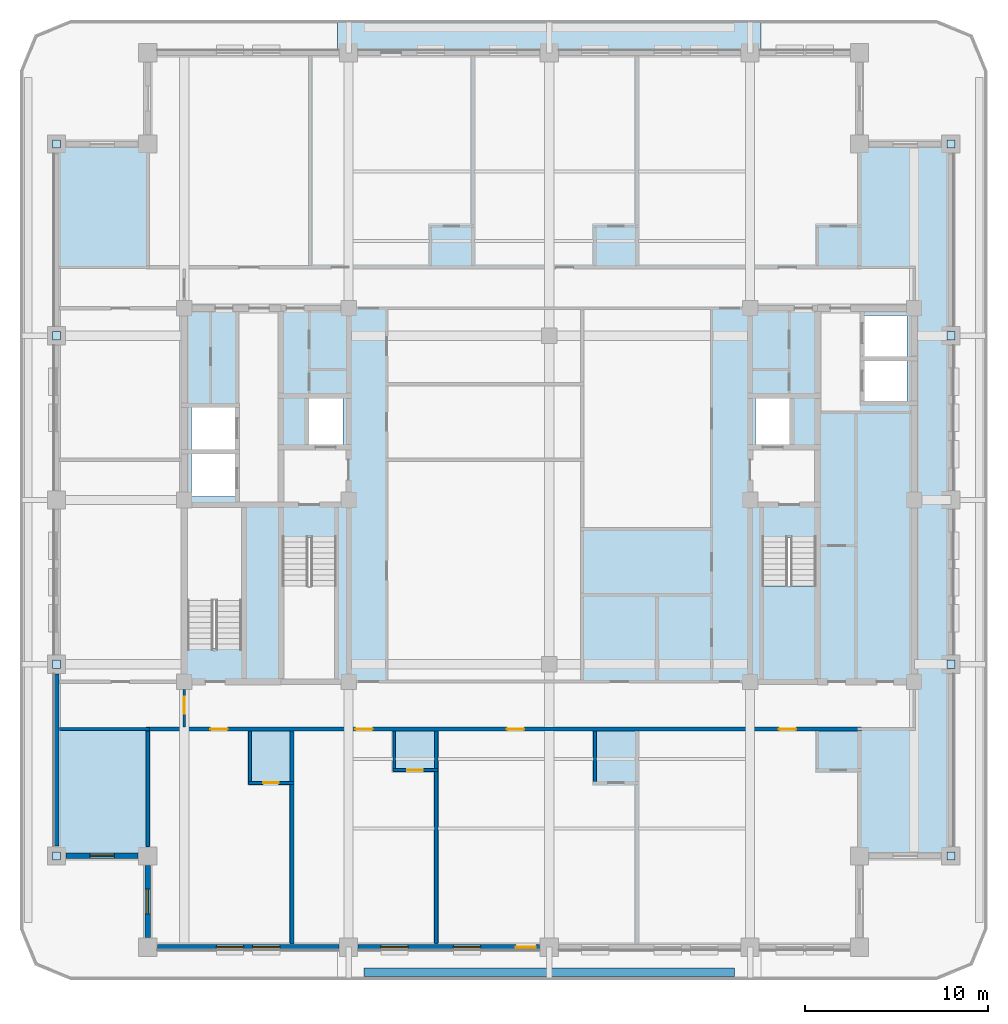
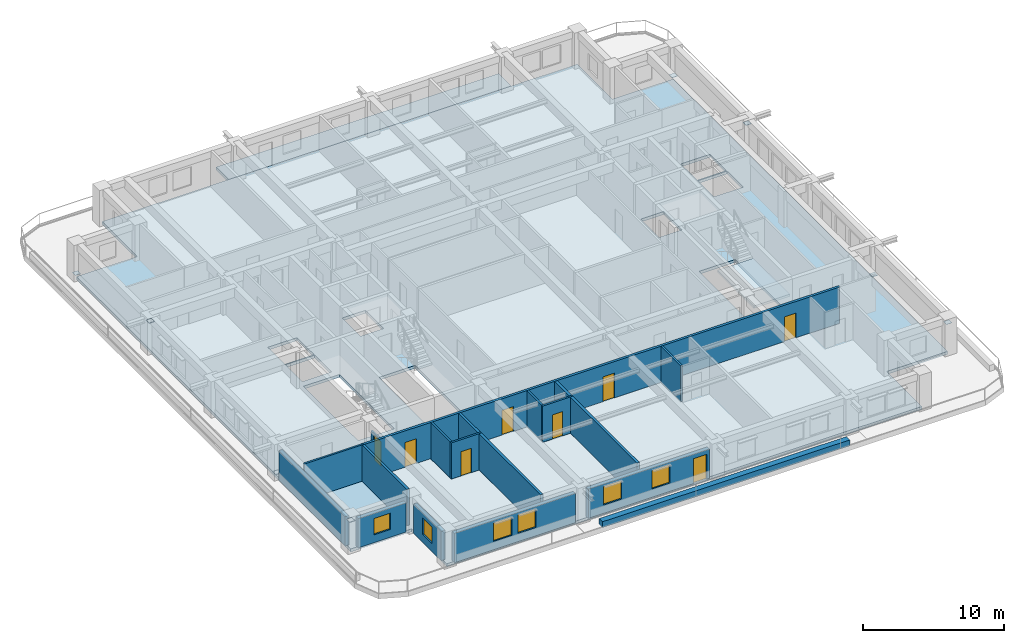
# One storey, part 2 of 14: 19 walls, 8 doors, 8 plates, 6 windows, 3 slabs, 14 openings, 1 element without a shape of its own.
"""IFC4 building model written with IfcOpenShell, lengths in metres."""

from ifc_helpers import new_model, si_unit, direction, frame, frame_2d, origin, origin_2d, place, context, subcontext, project, spatial, polyline, rectangle, outline, extrude, material, layer, layer_set, type_object, element, fill, aggregate, save


model = new_model("IFC4")

# Units and contexts
model_context = context("Model", 3, precision=1e-05, world=origin(), true_north=direction((0.0, 1.0)))
body_context = subcontext(model_context, "Body", "Model", "MODEL_VIEW")
ifc_project = project(units=[si_unit("LENGTHUNIT", "METRE"), si_unit("AREAUNIT", "SQUARE_METRE"), si_unit("VOLUMEUNIT", "CUBIC_METRE"), si_unit("PLANEANGLEUNIT", "RADIAN"), si_unit("MASSUNIT", "GRAM", prefix="KILO")], contexts=[model_context])

# Site, building, storey
site_placement = place(None, origin())
site = spatial("IfcSite", under=ifc_project, at=site_placement, CompositionType="ELEMENT")
building_placement = place(site_placement, origin())
building = spatial("IfcBuilding", under=site, at=building_placement, Name="Zulmaris Gate Convention Tower", CompositionType="ELEMENT")
storey_placement = place(building_placement, frame((0.0, 0.0, 205.06005859375)))
storey = spatial("IfcBuildingStorey", under=building, at=storey_placement, Name="L53", CompositionType="ELEMENT", Elevation=205.06005859375)

# Plates
ifc_material_1 = material(Name="Steel S460", Category="steel")
ifc_layer_1 = layer(ifc_material_1, 0.02490234375, Name="Steel S460")
ifc_layer_set_1 = layer_set([ifc_layer_1], Name="Steel S460")
plate_type = type_object("IfcPlateType", Name="NP-CAP-440", PredefinedType="USERDEFINED", material=ifc_layer_set_1)
for number, where, z_axis, x_axis, name in (
    (1, (-27.0, -9.0, 0.28759765625), (0.0, 0.0, 1.0), (1.0, 0.0, 0.0), "L53 Steel Node Plate PBR-L53-SW-W-CAP"),
    (2, (-27.0, -19.5, 2.517578125), (0.0, 0.0, 1.0), (1.0, 0.0, 0.0), "L53 Steel Node Plate PBR-L53-SW-W-CAPB"),
    (3, (-27.0, 19.5, 0.28759765625), (0.0, 0.0, 1.0), (1.0, 0.0, 0.0), "L53 Steel Node Plate PBR-L53-NW-W-CAP"),
    (4, (-27.0, 9.0, 2.517578125), (0.0, 0.0, 1.0), (1.0, 0.0, 0.0), "L53 Steel Node Plate PBR-L53-NW-W-CAPB"),
    (5, (22.0, -9.0, 0.28759765625), (0.0, 0.0, 1.0), (1.0, 0.0, 0.0), "L53 Steel Node Plate PBR-L53-SE-E-CAP"),
    (6, (22.0, -19.5, 2.517578125), (0.0, 0.0, 1.0), (1.0, 0.0, 0.0), "L53 Steel Node Plate PBR-L53-SE-E-CAPB"),
    (7, (22.0, 19.5, 0.28759765625), (0.0, 0.0, 1.0), (1.0, 0.0, 0.0), "L53 Steel Node Plate PBR-L53-NE-E-CAP"),
    (8, (22.0, 9.0, 2.517578125), (0.0, 0.0, 1.0), (1.0, 0.0, 0.0), "L53 Steel Node Plate PBR-L53-NE-E-CAPB"),
):
    element("IfcPlate", number, at=place(storey_placement, frame(where, z_axis=z_axis, x_axis=x_axis)), inside=storey, type_object=plate_type, Name=name, ObjectType="FLANGE PLATE", PredefinedType="USERDEFINED", context=body_context, shape_type="SweptSolid", body=[
        extrude(rectangle(XDim=0.43994140625, YDim=0.43994140625, at=origin_2d()), origin(), (0.0, 0.0, 1.0), 0.02490234375),
    ])

# Slabs
ifc_material_2 = material(Name="Precast concrete C50/60", Category="concrete")
ifc_layer_2 = layer(ifc_material_2, 0.239990234375, Name="Precast concrete C50/60")
ifc_layer_set_2 = layer_set([ifc_layer_2], Name="Precast concrete C50/60")
slab_type_1 = type_object("IfcSlabType", Name="SL-BAL-240", PredefinedType="FLOOR", material=ifc_layer_set_2)
slab_1_placement = place(storey_placement, frame((0.0, 0.0, -0.25)))
element("IfcSlab", 9, at=slab_1_placement, inside=storey, type_object=slab_type_1, Name="L53 North Tree-Balcony Planter Slab", PredefinedType="FLOOR", context=body_context, shape_type="SweptSolid", body=[
    extrude(outline(polyline([(11.597900390625, 26.300048828125), (11.597900390625, 24.5), (-11.597900390625, 24.5), (-11.597900390625, 26.300048828125), (11.597900390625, 26.300048828125)])), origin(), (0.0, 0.0, 1.0), 0.239990234375),
])
ifc_material_3 = material(Name="Concrete C50/60", Category="concrete")
ifc_layer_3 = layer(ifc_material_3, 0.25, Name="Concrete C50/60")
ifc_layer_set_3 = layer_set([ifc_layer_3], Name="Concrete C50/60")
slab_type_2 = type_object("IfcSlabType", Name="SL-FLR-250", PredefinedType="FLOOR", material=ifc_layer_set_3)
slab_2_placement = place(storey_placement, frame((0.0, 0.0, -0.25)))
element("IfcSlab", 10, at=slab_2_placement, inside=storey, type_object=slab_type_2, Name="L53 Shifted Notched-Square Structural Floor Slab", PredefinedType="FLOOR", context=body_context, shape_type="SweptSolid", body=[
    extrude(outline(polyline([(-22.0, -24.5), (17.0, -24.5), (17.0, -19.5), (22.0, -19.5), (22.0, 19.5), (17.0, 19.5), (17.0, 24.5), (-22.0, 24.5), (-22.0, 19.5), (-27.0, 19.5), (-27.0, -19.5), (-22.0, -19.5), (-22.0, -24.5)]), holes=[polyline([(-14.6201171875, -2.080078125), (-14.6201171875, -9.85009765625), (-11.659912109375, -9.85009765625), (-11.659912109375, -2.080078125), (-14.6201171875, -2.080078125)]), polyline([(11.659912109375, -2.080078125), (11.659912109375, -9.85009765625), (14.6201171875, -9.85009765625), (14.6201171875, -2.080078125), (11.659912109375, -2.080078125)]), polyline([(-16.860107421875, -8.1201171875), (-16.860107421875, -0.35009765625), (-19.820068359375, -0.35009765625), (-19.820068359375, -8.1201171875), (-16.860107421875, -8.1201171875)]), polyline([(-13.199951171875, 3.0), (-11.300048828125, 3.0), (-11.300048828125, 5.60009765625), (-13.199951171875, 5.60009765625), (-13.199951171875, 3.0)]), polyline([(11.300048828125, 3.0), (13.199951171875, 3.0), (13.199951171875, 5.60009765625), (11.300048828125, 5.60009765625), (11.300048828125, 3.0)]), polyline([(17.199951171875, 5.39990234375), (19.60009765625, 5.39990234375), (19.60009765625, 7.699951171875), (17.199951171875, 7.699951171875), (17.199951171875, 5.39990234375)]), polyline([(17.199951171875, 7.800048828125), (19.60009765625, 7.800048828125), (19.60009765625, 10.10009765625), (17.199951171875, 10.10009765625), (17.199951171875, 7.800048828125)]), polyline([(-19.60009765625, 0.199951171875), (-17.199951171875, 0.199951171875), (-17.199951171875, 2.60009765625), (-19.60009765625, 2.60009765625), (-19.60009765625, 0.199951171875)]), polyline([(-19.60009765625, 2.699951171875), (-17.199951171875, 2.699951171875), (-17.199951171875, 5.10009765625), (-19.60009765625, 5.10009765625), (-19.60009765625, 2.699951171875)])]), origin(), (0.0, 0.0, 1.0), 0.25),
])

# Stair, slab
ifc_material_4 = material(Name="Concrete C45/55", Category="concrete")
stair_type = type_object("IfcStairType", Name="ST-CORE-DOGLEG", PredefinedType="HALF_TURN_STAIR", material=ifc_material_4)
stair_placement = place(storey_placement, origin())
stair = element("IfcStair", 11, at=stair_placement, inside=storey, type_object=stair_type, Name="L53 Core Exit Stair ST-2", PredefinedType="HALF_TURN_STAIR")
ifc_layer_4 = layer(ifc_material_4, 0.199951171875, Name="Concrete C45/55")
ifc_layer_set_4 = layer_set([ifc_layer_4], Name="Concrete C45/55")
slab_type_3 = type_object("IfcSlabType", Name="SL-LND-200", PredefinedType="LANDING", material=ifc_layer_set_4)
slab_3_placement = place(storey_placement, frame((0.0, 0.0, 1.5)))
slab_3 = element("IfcSlab", 12, at=slab_3_placement, type_object=slab_type_3, Name="ST-2 landing 1", PredefinedType="LANDING", context=body_context, shape_type="SweptSolid", body=[
    extrude(outline(polyline([(11.659912109375, -4.699951171875), (11.659912109375, -9.85009765625), (14.6201171875, -9.85009765625), (14.6201171875, -4.699951171875), (11.659912109375, -4.699951171875)])), origin(), (0.0, 0.0, 1.0), 0.199951171875),
])
aggregate(stair, [slab_3])

# Wall, opening, door
ifc_material_5 = material(Name="Gypsum Metal Stud Partition")
ifc_layer_5 = layer(ifc_material_5, 0.14990234375, Name="Gypsum Metal Stud Partition")
ifc_layer_set_5 = layer_set([ifc_layer_5], Name="Gypsum Metal Stud Partition")
wall_type_1 = type_object("IfcWallType", Name="PART-150", PredefinedType="PARTITIONING", material=ifc_layer_set_5)
wall_1_placement = place(storey_placement, frame((-16.47509765625, -15.5, 0.0), z_axis=(0.0, 0.0, 1.0), x_axis=(1.0, 0.0, 0.0)))
wall_1 = element("IfcWall", 13, at=wall_1_placement, inside=storey, type_object=wall_type_1, Name="WL-L53-019", PredefinedType="PARTITIONING", context=body_context, shape_type="SweptSolid", body=[
    extrude(rectangle(XDim=2.47509765625, YDim=0.14990234375, at=frame_2d((1.237548828125, 0.0))), origin(), (0.0, 0.0, 1.0), 3.14990234375),
])
opening_1_placement = place(wall_1_placement, frame((0.800048828125, 0.0, 0.0)))
opening_1 = element("IfcOpeningElement", 14, at=opening_1_placement, cuts=wall_1, Name="Opening D-17", PredefinedType="OPENING", context=body_context, shape_type="SweptSolid", body=[
    extrude(rectangle(XDim=0.85009765625, YDim=2.10009765625, at=frame_2d((0.425048828125, 1.050048828125))), frame((0.0, 0.0849609375, 0.0), z_axis=(0.0, -1.0, 0.0), x_axis=(1.0, 0.0, 0.0)), (0.0, 0.0, 1.0), 0.169921875),
])
ifc_material_6 = material(Name="Moisture-Resistant Hardwood Timber", Category="wood")
door_type_1 = type_object("IfcDoorType", Name="DR-850", OperationType="NOTDEFINED", PredefinedType="DOOR", material=ifc_material_6)
door_1_placement = place(opening_1_placement, origin())
door_1 = element("IfcDoor", 15, at=door_1_placement, inside=storey, type_object=door_type_1, Name="L53 En-Suite Door 37", OperationType="SINGLE_SWING_RIGHT", OverallHeight=2.10009765625, OverallWidth=0.85009765625, PredefinedType="DOOR", context=body_context, shape_type="SweptSolid", body=[
    extrude(rectangle(XDim=0.85009765625, YDim=2.10009765625, at=frame_2d((0.425048828125, 1.050048828125))), frame((0.0, 0.02490234375, 0.0), z_axis=(0.0, -1.0, 0.0), x_axis=(1.0, 0.0, 0.0)), (0.0, 0.0, 1.0), 0.050048828125),
])
fill(opening_1, door_1)

wall_2_placement = place(storey_placement, frame((-8.574951171875, -14.800048828125, 0.0), z_axis=(0.0, 0.0, 1.0), x_axis=(1.0, 0.0, 0.0)))
wall_2 = element("IfcWall", 16, at=wall_2_placement, inside=storey, type_object=wall_type_1, Name="WL-L53-021", PredefinedType="PARTITIONING", context=body_context, shape_type="SweptSolid", body=[
    extrude(rectangle(XDim=2.474853515625, YDim=0.14990234375, at=frame_2d((1.2373046875, 0.0))), origin(), (0.0, 0.0, 1.0), 3.14990234375),
])
opening_2_placement = place(wall_2_placement, frame((0.800048828125, 0.0, 0.0)))
opening_2 = element("IfcOpeningElement", 17, at=opening_2_placement, cuts=wall_2, Name="Opening D-17", PredefinedType="OPENING", context=body_context, shape_type="SweptSolid", body=[
    extrude(rectangle(XDim=0.85009765625, YDim=2.10009765625, at=frame_2d((0.425048828125, 1.050048828125))), frame((0.0, 0.0849609375, 0.0), z_axis=(0.0, -1.0, 0.0), x_axis=(1.0, 0.0, 0.0)), (0.0, 0.0, 1.0), 0.169921875),
])
door_2_placement = place(opening_2_placement, origin())
door_2 = element("IfcDoor", 18, at=door_2_placement, inside=storey, type_object=door_type_1, Name="L53 En-Suite Door 39", OperationType="SINGLE_SWING_RIGHT", OverallHeight=2.10009765625, OverallWidth=0.85009765625, PredefinedType="DOOR", context=body_context, shape_type="SweptSolid", body=[
    extrude(rectangle(XDim=0.85009765625, YDim=2.10009765625, at=frame_2d((0.425048828125, 1.050048828125))), frame((0.0, 0.02490234375, 0.0), z_axis=(0.0, -1.0, 0.0), x_axis=(1.0, 0.0, 0.0)), (0.0, 0.0, 1.0), 0.050048828125),
])
fill(opening_2, door_2)

# Wall
wall_3_placement = place(storey_placement, frame((-26.8349609375, -12.550048828125, 0.0), z_axis=(0.0, 0.0, 1.0), x_axis=(1.0, 0.0, 0.0)))
element("IfcWall", 19, at=wall_3_placement, inside=storey, type_object=wall_type_1, Name="WL-L53-023", PredefinedType="PARTITIONING", context=body_context, shape_type="SweptSolid", body=[
    extrude(rectangle(XDim=4.93505859375, YDim=0.14990234375, at=frame_2d((2.467529296875, 0.0))), origin(), (0.0, 0.0, 1.0), 3.14990234375),
])

# Wall, opening, door
wall_4_placement = place(storey_placement, frame((-20.0, -12.447021484375, 0.0), z_axis=(0.0, 0.0, 1.0), x_axis=(0.0, 1.0, 0.0)))
wall_4 = element("IfcWall", 20, at=wall_4_placement, inside=storey, type_object=wall_type_1, Name="WL-L53-079", PredefinedType="PARTITIONING", context=body_context, shape_type="SweptSolid", body=[
    extrude(rectangle(XDim=2.06591796875, YDim=0.14990234375, at=frame_2d((1.032958984375, 0.0))), origin(), (0.0, 0.0, 1.0), 2.342041015625),
])
opening_3_placement = place(wall_4_placement, frame((0.721923828125, 0.0, 0.0)))
opening_3 = element("IfcOpeningElement", 21, at=opening_3_placement, cuts=wall_4, Name="Opening D-11", PredefinedType="OPENING", context=body_context, shape_type="SweptSolid", body=[
    extrude(rectangle(XDim=0.949951171875, YDim=2.14990234375, at=frame_2d((0.47509765625, 1.074951171875))), frame((0.0, 0.0849609375, 0.0), z_axis=(0.0, -1.0, 0.0), x_axis=(1.0, 0.0, 0.0)), (0.0, 0.0, 1.0), 0.169921875),
])
ifc_material_7 = material(Name="Fire-Rated Timber", Category="wood")
door_type_2 = type_object("IfcDoorType", Name="DR-950-FD", OperationType="NOTDEFINED", PredefinedType="DOOR", material=ifc_material_7)
door_3_placement = place(opening_3_placement, origin())
door_3 = element("IfcDoor", 22, at=door_3_placement, inside=storey, type_object=door_type_2, Name="L53 SW Hotel Spur Door 52", OperationType="SINGLE_SWING_LEFT", OverallHeight=2.14990234375, OverallWidth=0.949951171875, PredefinedType="DOOR", context=body_context, shape_type="SweptSolid", body=[
    extrude(rectangle(XDim=0.949951171875, YDim=2.14990234375, at=frame_2d((0.47509765625, 1.074951171875))), frame((0.0, 0.02490234375, 0.0), z_axis=(0.0, -1.0, 0.0), x_axis=(1.0, 0.0, 0.0)), (0.0, 0.0, 1.0), 0.050048828125),
])
fill(opening_3, door_3)

# Walls
wall_5_placement = place(storey_placement, frame((-16.39990234375, -15.422119140625, 0.0), z_axis=(0.0, 0.0, 1.0), x_axis=(0.0, 1.0, 0.0)))
element("IfcWall", 23, at=wall_5_placement, inside=storey, type_object=wall_type_1, Name="WL-L53-083", PredefinedType="PARTITIONING", context=body_context, shape_type="SweptSolid", body=[
    extrude(rectangle(XDim=2.76904296875, YDim=0.14990234375, at=frame_2d((1.384521484375, 0.0))), origin(), (0.0, 0.0, 1.0), 3.14990234375),
])
wall_6_placement = place(storey_placement, frame((-8.5, -14.721923828125, 0.0), z_axis=(0.0, 0.0, 1.0), x_axis=(0.0, 1.0, 0.0)))
element("IfcWall", 24, at=wall_6_placement, inside=storey, type_object=wall_type_1, Name="WL-L53-092", PredefinedType="PARTITIONING", context=body_context, shape_type="SweptSolid", body=[
    extrude(rectangle(XDim=2.06884765625, YDim=0.14990234375, at=frame_2d((1.034423828125, 0.0))), origin(), (0.0, 0.0, 1.0), 3.14990234375),
])
wall_7_placement = place(storey_placement, frame((2.5, -15.422119140625, 0.0), z_axis=(0.0, 0.0, 1.0), x_axis=(0.0, 1.0, 0.0)))
element("IfcWall", 25, at=wall_7_placement, inside=storey, type_object=wall_type_1, Name="WL-L53-103", PredefinedType="PARTITIONING", context=body_context, shape_type="SweptSolid", body=[
    extrude(rectangle(XDim=2.76904296875, YDim=0.14990234375, at=frame_2d((1.384521484375, 0.0))), origin(), (0.0, 0.0, 1.0), 3.14990234375),
])

# Wall, openings, doors
ifc_material_8 = material(Name="Autoclaved Aerated Concrete Block and Plasterboard", Category="concrete")
ifc_layer_6 = layer(ifc_material_8, 0.199951171875, Name="Autoclaved Aerated Concrete Block and Plasterboard")
ifc_layer_set_6 = layer_set([ifc_layer_6], Name="Autoclaved Aerated Concrete Block and Plasterboard")
wall_type_2 = type_object("IfcWallType", Name="PART-200", PredefinedType="PARTITIONING", material=ifc_layer_set_6)
wall_8_placement = place(storey_placement, frame((-22.10009765625, -12.550048828125, 0.0), z_axis=(0.0, 0.0, 1.0), x_axis=(1.0, 0.0, 0.0)))
wall_8 = element("IfcWall", 26, at=wall_8_placement, inside=storey, type_object=wall_type_2, Name="WL-L53-024", PredefinedType="PARTITIONING", context=body_context, shape_type="SweptSolid", body=[
    extrude(rectangle(XDim=39.2001953125, YDim=0.199951171875, at=frame_2d((19.60009765625, 0.0))), origin(), (0.0, 0.0, 1.0), 3.14990234375),
])
opening_4_placement = place(wall_8_placement, frame((3.52490234375, 0.0, 0.0)))
opening_4 = element("IfcOpeningElement", 27, at=opening_4_placement, cuts=wall_8, Name="Opening D-11", PredefinedType="OPENING", context=body_context, shape_type="SweptSolid", body=[
    extrude(rectangle(XDim=0.949951171875, YDim=2.14990234375, at=frame_2d((0.47509765625, 1.074951171875))), frame((0.0, 0.10986328125, 0.0), z_axis=(0.0, -1.0, 0.0), x_axis=(1.0, 0.0, 0.0)), (0.0, 0.0, 1.0), 0.219970703125),
])
opening_5_placement = place(wall_8_placement, frame((11.47509765625, 0.0, 0.0)))
opening_5 = element("IfcOpeningElement", 28, at=opening_5_placement, cuts=wall_8, Name="Opening D-11", PredefinedType="OPENING", context=body_context, shape_type="SweptSolid", body=[
    extrude(rectangle(XDim=0.949951171875, YDim=2.14990234375, at=frame_2d((0.47509765625, 1.074951171875))), frame((0.0, 0.10986328125, 0.0), z_axis=(0.0, -1.0, 0.0), x_axis=(1.0, 0.0, 0.0)), (0.0, 0.0, 1.0), 0.219970703125),
])
opening_6_placement = place(wall_8_placement, frame((19.77490234375, 0.0, 0.0)))
opening_6 = element("IfcOpeningElement", 29, at=opening_6_placement, cuts=wall_8, Name="Opening D-11", PredefinedType="OPENING", context=body_context, shape_type="SweptSolid", body=[
    extrude(rectangle(XDim=0.949951171875, YDim=2.14990234375, at=frame_2d((0.47509765625, 1.074951171875))), frame((0.0, 0.10986328125, 0.0), z_axis=(0.0, -1.0, 0.0), x_axis=(1.0, 0.0, 0.0)), (0.0, 0.0, 1.0), 0.219970703125),
])
opening_7_placement = place(wall_8_placement, frame((34.675048828125, 0.0, 0.0)))
opening_7 = element("IfcOpeningElement", 30, at=opening_7_placement, cuts=wall_8, Name="Opening D-11", PredefinedType="OPENING", context=body_context, shape_type="SweptSolid", body=[
    extrude(rectangle(XDim=0.949951171875, YDim=2.14990234375, at=frame_2d((0.47509765625, 1.074951171875))), frame((0.0, 0.10986328125, 0.0), z_axis=(0.0, -1.0, 0.0), x_axis=(1.0, 0.0, 0.0)), (0.0, 0.0, 1.0), 0.219970703125),
])
door_4_placement = place(opening_4_placement, origin())
door_4 = element("IfcDoor", 31, at=door_4_placement, inside=storey, type_object=door_type_2, Name="L53 Hotel Executive Suite Door 36", OperationType="SINGLE_SWING_LEFT", OverallHeight=2.14990234375, OverallWidth=0.949951171875, PredefinedType="DOOR", context=body_context, shape_type="SweptSolid", body=[
    extrude(rectangle(XDim=0.949951171875, YDim=2.14990234375, at=frame_2d((0.47509765625, 1.074951171875))), frame((0.0, 0.02490234375, 0.0), z_axis=(0.0, -1.0, 0.0), x_axis=(1.0, 0.0, 0.0)), (0.0, 0.0, 1.0), 0.050048828125),
])
fill(opening_4, door_4)
door_5_placement = place(opening_5_placement, origin())
door_5 = element("IfcDoor", 32, at=door_5_placement, inside=storey, type_object=door_type_2, Name="L53 Hotel Executive Suite Door 38", OperationType="SINGLE_SWING_LEFT", OverallHeight=2.14990234375, OverallWidth=0.949951171875, PredefinedType="DOOR", context=body_context, shape_type="SweptSolid", body=[
    extrude(rectangle(XDim=0.949951171875, YDim=2.14990234375, at=frame_2d((0.47509765625, 1.074951171875))), frame((0.0, 0.02490234375, 0.0), z_axis=(0.0, -1.0, 0.0), x_axis=(1.0, 0.0, 0.0)), (0.0, 0.0, 1.0), 0.050048828125),
])
fill(opening_5, door_5)
door_6_placement = place(opening_6_placement, origin())
door_6 = element("IfcDoor", 33, at=door_6_placement, inside=storey, type_object=door_type_2, Name="L53 Hotel Executive Suite Door 40", OperationType="SINGLE_SWING_LEFT", OverallHeight=2.14990234375, OverallWidth=0.949951171875, PredefinedType="DOOR", context=body_context, shape_type="SweptSolid", body=[
    extrude(rectangle(XDim=0.949951171875, YDim=2.14990234375, at=frame_2d((0.47509765625, 1.074951171875))), frame((0.0, 0.02490234375, 0.0), z_axis=(0.0, -1.0, 0.0), x_axis=(1.0, 0.0, 0.0)), (0.0, 0.0, 1.0), 0.050048828125),
])
fill(opening_6, door_6)
door_7_placement = place(opening_7_placement, origin())
door_7 = element("IfcDoor", 34, at=door_7_placement, inside=storey, type_object=door_type_2, Name="L53 Hotel Executive Suite Door 42", OperationType="SINGLE_SWING_LEFT", OverallHeight=2.14990234375, OverallWidth=0.949951171875, PredefinedType="DOOR", context=body_context, shape_type="SweptSolid", body=[
    extrude(rectangle(XDim=0.949951171875, YDim=2.14990234375, at=frame_2d((0.47509765625, 1.074951171875))), frame((0.0, 0.02490234375, 0.0), z_axis=(0.0, -1.0, 0.0), x_axis=(1.0, 0.0, 0.0)), (0.0, 0.0, 1.0), 0.050048828125),
])
fill(opening_7, door_7)

# Walls
wall_9_placement = place(storey_placement, frame((-22.0, -18.993896484375, 0.0), z_axis=(0.0, 0.0, 1.0), x_axis=(0.0, 1.0, 0.0)))
element("IfcWall", 35, at=wall_9_placement, inside=storey, type_object=wall_type_2, Name="WL-L53-077", PredefinedType="PARTITIONING", context=body_context, shape_type="SweptSolid", body=[
    extrude(rectangle(XDim=6.3408203125, YDim=0.199951171875, at=frame_2d((3.17041015625, 0.0))), origin(), (0.0, 0.0, 1.0), 3.14990234375),
])
wall_10_placement = place(storey_placement, frame((-14.10009765625, -24.3349609375, 0.0), z_axis=(0.0, 0.0, 1.0), x_axis=(0.0, 1.0, 0.0)))
element("IfcWall", 36, at=wall_10_placement, inside=storey, type_object=wall_type_2, Name="WL-L53-084", PredefinedType="PARTITIONING", context=body_context, shape_type="SweptSolid", body=[
    extrude(rectangle(XDim=8.757080078125, YDim=0.199951171875, at=frame_2d((4.37841796875, 0.0))), origin(), (0.0, 0.0, 1.0), 3.14990234375),
])
wall_11_placement = place(storey_placement, frame((-14.10009765625, -15.422119140625, 0.0), z_axis=(0.0, 0.0, 1.0), x_axis=(0.0, 1.0, 0.0)))
element("IfcWall", 37, at=wall_11_placement, inside=storey, type_object=wall_type_2, Name="WL-L53-085", PredefinedType="PARTITIONING", context=body_context, shape_type="SweptSolid", body=[
    extrude(rectangle(XDim=2.76904296875, YDim=0.199951171875, at=frame_2d((1.384521484375, 0.0))), origin(), (0.0, 0.0, 1.0), 3.14990234375),
])
wall_12_placement = place(storey_placement, frame((-6.199951171875, -24.3349609375, 0.0), z_axis=(0.0, 0.0, 1.0), x_axis=(0.0, 1.0, 0.0)))
element("IfcWall", 38, at=wall_12_placement, inside=storey, type_object=wall_type_2, Name="WL-L53-094", PredefinedType="PARTITIONING", context=body_context, shape_type="SweptSolid", body=[
    extrude(rectangle(XDim=9.45703125, YDim=0.199951171875, at=frame_2d((4.728515625, 0.0))), origin(), (0.0, 0.0, 1.0), 3.14990234375),
])
wall_13_placement = place(storey_placement, frame((-6.199951171875, -14.721923828125, 0.0), z_axis=(0.0, 0.0, 1.0), x_axis=(0.0, 1.0, 0.0)))
element("IfcWall", 39, at=wall_13_placement, inside=storey, type_object=wall_type_2, Name="WL-L53-095", PredefinedType="PARTITIONING", context=body_context, shape_type="SweptSolid", body=[
    extrude(rectangle(XDim=2.06884765625, YDim=0.199951171875, at=frame_2d((1.034423828125, 0.0))), origin(), (0.0, 0.0, 1.0), 3.14990234375),
])
ifc_material_9 = material(Name="Botanical Green Glazed Precast Concrete C40/50", Category="concrete")
ifc_layer_7 = layer(ifc_material_9, 0.419921875, Name="Botanical Green Glazed Precast Concrete C40/50")
ifc_layer_set_7 = layer_set([ifc_layer_7], Name="Botanical Green Glazed Precast Concrete C40/50")
wall_type_3 = type_object("IfcWallType", Name="PLANTER-CURB-200", PredefinedType="PARAPET", material=ifc_layer_set_7)
wall_14_placement = place(storey_placement, frame((-10.14990234375, -25.8798828125, -0.0400390625), z_axis=(0.0, 0.0, 1.0), x_axis=(1.0, 0.0, 0.0)))
element("IfcWall", 40, at=wall_14_placement, inside=storey, type_object=wall_type_3, Name="L53 Full-Length Balcony Tree Planter Trough", PredefinedType="PARAPET", context=body_context, shape_type="SweptSolid", body=[
    extrude(rectangle(XDim=20.2998046875, YDim=0.47998046875, at=frame_2d((10.14990234375, 0.0))), origin(), (0.0, 0.0, 1.0), 0.52001953125),
])

# Wall, opening, window
ifc_material_10 = material(Name="Precast concrete C40/50", Category="concrete")
ifc_layer_8 = layer(ifc_material_10, 0.300048828125, Name="Precast concrete C40/50")
ifc_layer_set_8 = layer_set([ifc_layer_8], Name="Precast concrete C40/50")
wall_type_4 = type_object("IfcWallType", Name="PRECAST-PIER-300", PredefinedType="STANDARD", material=ifc_layer_set_8)
wall_15_placement = place(storey_placement, frame((-26.469970703125, -19.5, 0.0), z_axis=(0.0, 0.0, 1.0), x_axis=(1.0, 0.0, 0.0)))
wall_15 = element("IfcWall", 41, at=wall_15_placement, inside=storey, type_object=wall_type_4, Name="EW-L53-NOTCH-SW1_0", PredefinedType="STANDARD", context=body_context, shape_type="SweptSolid", body=[
    extrude(rectangle(XDim=3.93994140625, YDim=0.300048828125, at=frame_2d((1.969970703125, 0.0))), origin(), (0.0, 0.0, 1.0), 2.5419921875),
])
opening_8_placement = place(wall_15_placement, frame((1.294921875, 0.0, 0.679931640625)))
opening_8 = element("IfcOpeningElement", 42, at=opening_8_placement, cuts=wall_15, Name="Opening W-10", PredefinedType="OPENING", context=body_context, shape_type="SweptSolid", body=[
    extrude(rectangle(XDim=1.35009765625, YDim=1.419921875, at=frame_2d((0.675048828125, 0.7099609375))), frame((0.0, 0.16015625, 0.0), z_axis=(0.0, -1.0, 0.0), x_axis=(1.0, 0.0, 0.0)), (0.0, 0.0, 1.0), 0.320068359375),
])
ifc_material_11 = material(Name="Low-E Laminated Double Glazing in Aluminium Frame", Category="aluminium")
window_type_1 = type_object("IfcWindowType", Name="WIN-1350x2000", PartitioningType="SINGLE_PANEL", PredefinedType="WINDOW", material=ifc_material_11)
window_1_placement = place(opening_8_placement, origin())
window_1 = element("IfcWindow", 43, at=window_1_placement, inside=storey, type_object=window_type_1, Name="WN-EW-L53-NOTCH-SW1_0", OverallHeight=1.419921875, OverallWidth=1.35009765625, PartitioningType="SINGLE_PANEL", PredefinedType="WINDOW", context=body_context, shape_type="SweptSolid", body=[
    extrude(rectangle(XDim=1.35009765625, YDim=1.419921875, at=frame_2d((0.675048828125, 0.7099609375))), frame((0.0, 0.030029296875, 0.0), z_axis=(0.0, -1.0, 0.0), x_axis=(1.0, 0.0, 0.0)), (0.0, 0.0, 1.0), 0.06005859375),
])
fill(opening_8, window_1)

wall_16_placement = place(storey_placement, frame((-22.0, -20.030029296875, 0.0), z_axis=(0.0, 0.0, 1.0), x_axis=(0.0, -1.0, 0.0)))
wall_16 = element("IfcWall", 44, at=wall_16_placement, inside=storey, type_object=wall_type_4, Name="EW-L53-NOTCH-SW2_0", PredefinedType="STANDARD", context=body_context, shape_type="SweptSolid", body=[
    extrude(rectangle(XDim=3.93994140625, YDim=0.300048828125, at=frame_2d((1.969970703125, 0.0))), origin(), (0.0, 0.0, 1.0), 2.5419921875),
])
opening_9_placement = place(wall_16_placement, frame((1.294921875, 0.0, 0.679931640625)))
opening_9 = element("IfcOpeningElement", 45, at=opening_9_placement, cuts=wall_16, Name="Opening W-10", PredefinedType="OPENING", context=body_context, shape_type="SweptSolid", body=[
    extrude(rectangle(XDim=1.35009765625, YDim=1.419921875, at=frame_2d((0.675048828125, 0.7099609375))), frame((0.0, 0.16015625, 0.0), z_axis=(0.0, -1.0, 0.0), x_axis=(1.0, 0.0, 0.0)), (0.0, 0.0, 1.0), 0.320068359375),
])
window_2_placement = place(opening_9_placement, origin())
window_2 = element("IfcWindow", 46, at=window_2_placement, inside=storey, type_object=window_type_1, Name="WN-EW-L53-NOTCH-SW2_0", OverallHeight=1.419921875, OverallWidth=1.35009765625, PartitioningType="SINGLE_PANEL", PredefinedType="WINDOW", context=body_context, shape_type="SweptSolid", body=[
    extrude(rectangle(XDim=1.35009765625, YDim=1.419921875, at=frame_2d((0.675048828125, 0.7099609375))), frame((0.0, 0.030029296875, 0.0), z_axis=(0.0, -1.0, 0.0), x_axis=(1.0, 0.0, 0.0)), (0.0, 0.0, 1.0), 0.06005859375),
])
fill(opening_9, window_2)

# Wall, openings, windows
wall_17_placement = place(storey_placement, frame((-21.469970703125, -24.5, 0.0), z_axis=(0.0, 0.0, 1.0), x_axis=(1.0, 0.0, 0.0)))
wall_17 = element("IfcWall", 47, at=wall_17_placement, inside=storey, type_object=wall_type_4, Name="EW-L53-S-0_0", PredefinedType="STANDARD", context=body_context, shape_type="SweptSolid", body=[
    extrude(rectangle(XDim=9.93994140625, YDim=0.300048828125, at=frame_2d((4.969970703125, 0.0))), origin(), (0.0, 0.0, 1.0), 2.5419921875),
])
opening_10_placement = place(wall_17_placement, frame((3.22607421875, 0.0, 0.719970703125)))
opening_10 = element("IfcOpeningElement", 48, at=opening_10_placement, cuts=wall_17, Name="Opening W-03", PredefinedType="OPENING", context=body_context, shape_type="SweptSolid", body=[
    extrude(rectangle(XDim=1.5, YDim=1.60009765625, at=frame_2d((0.75, 0.800048828125))), frame((0.0, 0.16015625, 0.0), z_axis=(0.0, -1.0, 0.0), x_axis=(1.0, 0.0, 0.0)), (0.0, 0.0, 1.0), 0.320068359375),
])
opening_11_placement = place(wall_17_placement, frame((5.214111328125, 0.0, 0.719970703125)))
opening_11 = element("IfcOpeningElement", 49, at=opening_11_placement, cuts=wall_17, Name="Opening W-03", PredefinedType="OPENING", context=body_context, shape_type="SweptSolid", body=[
    extrude(rectangle(XDim=1.5, YDim=1.60009765625, at=frame_2d((0.75, 0.800048828125))), frame((0.0, 0.16015625, 0.0), z_axis=(0.0, -1.0, 0.0), x_axis=(1.0, 0.0, 0.0)), (0.0, 0.0, 1.0), 0.320068359375),
])
window_type_2 = type_object("IfcWindowType", Name="WIN-1500x2100", PartitioningType="SINGLE_PANEL", PredefinedType="WINDOW", material=ifc_material_11)
window_3_placement = place(opening_10_placement, origin())
window_3 = element("IfcWindow", 50, at=window_3_placement, inside=storey, type_object=window_type_2, Name="WN-EW-L53-S-0_0-2", OverallHeight=1.60009765625, OverallWidth=1.5, PartitioningType="SINGLE_PANEL", PredefinedType="WINDOW", context=body_context, shape_type="SweptSolid", body=[
    extrude(rectangle(XDim=1.5, YDim=1.60009765625, at=frame_2d((0.75, 0.800048828125))), frame((0.0, 0.030029296875, 0.0), z_axis=(0.0, -1.0, 0.0), x_axis=(1.0, 0.0, 0.0)), (0.0, 0.0, 1.0), 0.06005859375),
])
fill(opening_10, window_3)
window_4_placement = place(opening_11_placement, origin())
window_4 = element("IfcWindow", 51, at=window_4_placement, inside=storey, type_object=window_type_2, Name="WN-EW-L53-S-0_0-3", OverallHeight=1.60009765625, OverallWidth=1.5, PartitioningType="SINGLE_PANEL", PredefinedType="WINDOW", context=body_context, shape_type="SweptSolid", body=[
    extrude(rectangle(XDim=1.5, YDim=1.60009765625, at=frame_2d((0.75, 0.800048828125))), frame((0.0, 0.030029296875, 0.0), z_axis=(0.0, -1.0, 0.0), x_axis=(1.0, 0.0, 0.0)), (0.0, 0.0, 1.0), 0.06005859375),
])
fill(opening_11, window_4)

# Wall, openings, door, windows
wall_18_placement = place(storey_placement, frame((-10.469970703125, -24.5, 0.0), z_axis=(0.0, 0.0, 1.0), x_axis=(1.0, 0.0, 0.0)))
wall_18 = element("IfcWall", 52, at=wall_18_placement, inside=storey, type_object=wall_type_4, Name="EW-L53-S-1_0", PredefinedType="STANDARD", context=body_context, shape_type="SweptSolid", body=[
    extrude(rectangle(XDim=9.93994140625, YDim=0.300048828125, at=frame_2d((4.969970703125, 0.0))), origin(), (0.0, 0.0, 1.0), 2.5419921875),
])
opening_12_placement = place(wall_18_placement, frame((8.639892578125, 0.0, 0.0)))
opening_12 = element("IfcOpeningElement", 53, at=opening_12_placement, cuts=wall_18, Name="Opening D-04", PredefinedType="OPENING", context=body_context, shape_type="SweptSolid", body=[
    extrude(rectangle(XDim=1.10009765625, YDim=2.14990234375, at=frame_2d((0.550048828125, 1.074951171875))), frame((0.0, 0.16015625, 0.0), z_axis=(0.0, -1.0, 0.0), x_axis=(1.0, 0.0, 0.0)), (0.0, 0.0, 1.0), 0.320068359375),
])
opening_13_placement = place(wall_18_placement, frame((1.238037109375, 0.0, 0.719970703125)))
opening_13 = element("IfcOpeningElement", 54, at=opening_13_placement, cuts=wall_18, Name="Opening W-03", PredefinedType="OPENING", context=body_context, shape_type="SweptSolid", body=[
    extrude(rectangle(XDim=1.5, YDim=1.60009765625, at=frame_2d((0.75, 0.800048828125))), frame((0.0, 0.16015625, 0.0), z_axis=(0.0, -1.0, 0.0), x_axis=(1.0, 0.0, 0.0)), (0.0, 0.0, 1.0), 0.320068359375),
])
opening_14_placement = place(wall_18_placement, frame((5.214111328125, 0.0, 0.719970703125)))
opening_14 = element("IfcOpeningElement", 55, at=opening_14_placement, cuts=wall_18, Name="Opening W-03", PredefinedType="OPENING", context=body_context, shape_type="SweptSolid", body=[
    extrude(rectangle(XDim=1.5, YDim=1.60009765625, at=frame_2d((0.75, 0.800048828125))), frame((0.0, 0.16015625, 0.0), z_axis=(0.0, -1.0, 0.0), x_axis=(1.0, 0.0, 0.0)), (0.0, 0.0, 1.0), 0.320068359375),
])
ifc_material_12 = material(Name="Anodised Aluminium and Laminated Glass", Category="aluminium")
door_type_3 = type_object("IfcDoorType", Name="ED-1100", OperationType="SINGLE_SWING_RIGHT", PredefinedType="DOOR", material=ifc_material_12)
door_8_placement = place(opening_12_placement, origin())
door_8 = element("IfcDoor", 56, at=door_8_placement, inside=storey, type_object=door_type_3, Name="L53 S Planted Terrace Door", OperationType="SINGLE_SWING_RIGHT", OverallHeight=2.14990234375, OverallWidth=1.10009765625, PredefinedType="DOOR", context=body_context, shape_type="SweptSolid", body=[
    extrude(rectangle(XDim=1.10009765625, YDim=2.14990234375, at=frame_2d((0.550048828125, 1.074951171875))), frame((0.0, 0.02490234375, 0.0), z_axis=(0.0, -1.0, 0.0), x_axis=(1.0, 0.0, 0.0)), (0.0, 0.0, 1.0), 0.050048828125),
])
fill(opening_12, door_8)
window_5_placement = place(opening_13_placement, origin())
window_5 = element("IfcWindow", 57, at=window_5_placement, inside=storey, type_object=window_type_2, Name="WN-EW-L53-S-1_0-1", OverallHeight=1.60009765625, OverallWidth=1.5, PartitioningType="SINGLE_PANEL", PredefinedType="WINDOW", context=body_context, shape_type="SweptSolid", body=[
    extrude(rectangle(XDim=1.5, YDim=1.60009765625, at=frame_2d((0.75, 0.800048828125))), frame((0.0, 0.030029296875, 0.0), z_axis=(0.0, -1.0, 0.0), x_axis=(1.0, 0.0, 0.0)), (0.0, 0.0, 1.0), 0.06005859375),
])
fill(opening_13, window_5)
window_6_placement = place(opening_14_placement, origin())
window_6 = element("IfcWindow", 58, at=window_6_placement, inside=storey, type_object=window_type_2, Name="WN-EW-L53-S-1_0-3", OverallHeight=1.60009765625, OverallWidth=1.5, PartitioningType="SINGLE_PANEL", PredefinedType="WINDOW", context=body_context, shape_type="SweptSolid", body=[
    extrude(rectangle(XDim=1.5, YDim=1.60009765625, at=frame_2d((0.75, 0.800048828125))), frame((0.0, 0.030029296875, 0.0), z_axis=(0.0, -1.0, 0.0), x_axis=(1.0, 0.0, 0.0)), (0.0, 0.0, 1.0), 0.06005859375),
])
fill(opening_14, window_6)

# Wall
wall_19_placement = place(storey_placement, frame((-27.0, -9.530029296875, 0.0), z_axis=(0.0, 0.0, 1.0), x_axis=(0.0, -1.0, 0.0)))
element("IfcWall", 59, at=wall_19_placement, inside=storey, type_object=wall_type_4, Name="EW-L53-W-0_0", PredefinedType="STANDARD", context=body_context, shape_type="SweptSolid", body=[
    extrude(rectangle(XDim=9.43994140625, YDim=0.300048828125, at=frame_2d((4.719970703125, 0.0))), origin(), (0.0, 0.0, 1.0), 2.5419921875),
])

save(model, "model.ifc")
